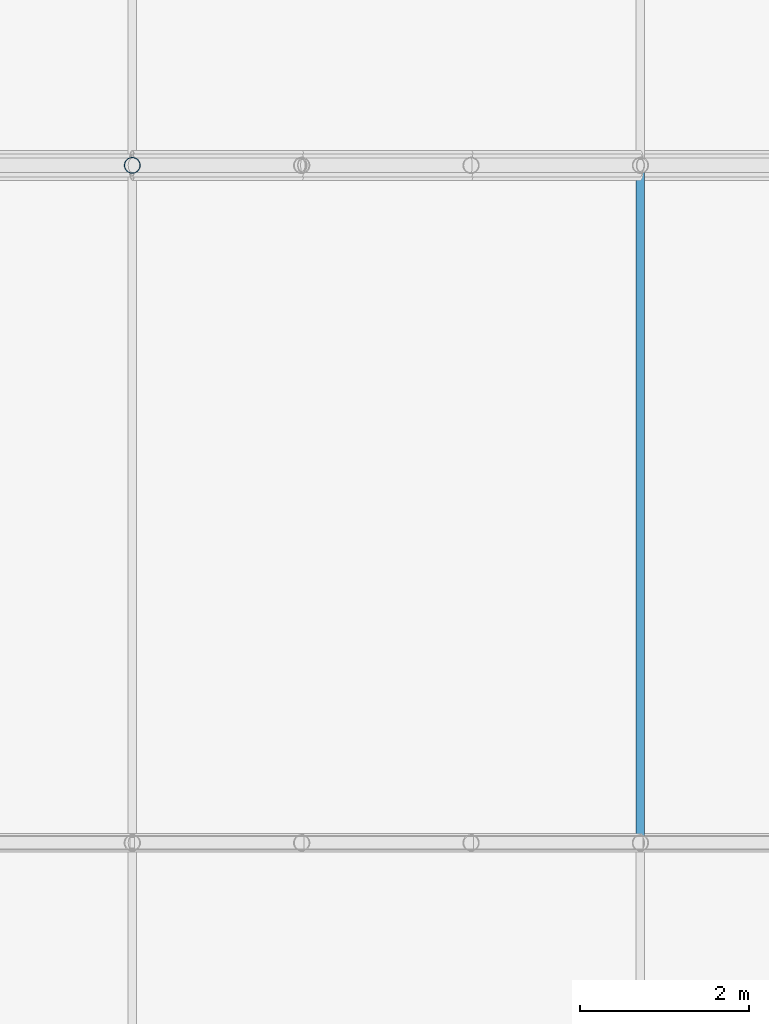
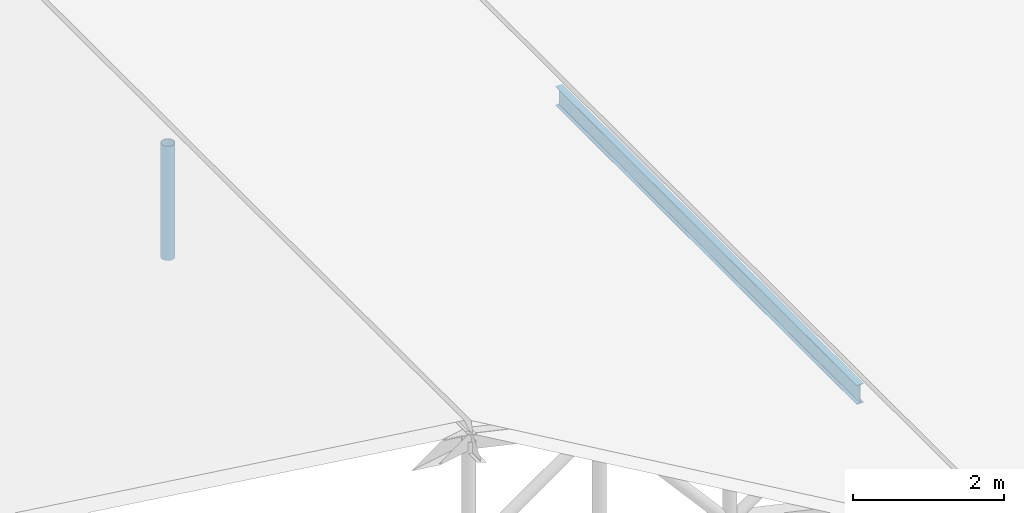
# One storey, part 14 of 28: 2 members.
"""IFC4 building model written with IfcOpenShell, lengths in metres."""

from ifc_helpers import new_model, si_unit, direction, frame, origin, origin_2d, place, context, subcontext, project, spatial, hollow_circle, i_section, extrude, material, material_profile, profile_set, type_object, element, save


model = new_model("IFC4")

# Units and contexts
model_context = context("Model", 3, precision=1e-05, world=origin(), true_north=direction((0.0, 1.0)))
body_context = subcontext(model_context, "Body", "Model", "MODEL_VIEW")
ifc_project = project(units=[si_unit("LENGTHUNIT", "METRE"), si_unit("AREAUNIT", "SQUARE_METRE"), si_unit("VOLUMEUNIT", "CUBIC_METRE"), si_unit("PLANEANGLEUNIT", "RADIAN"), si_unit("MASSUNIT", "GRAM", prefix="KILO"), si_unit("THERMODYNAMICTEMPERATUREUNIT", "KELVIN"), si_unit("POWERUNIT", "WATT")], contexts=[model_context])

# Site, building, storey
site_placement = place(None, origin())
site = spatial("IfcSite", under=ifc_project, at=site_placement, CompositionType="ELEMENT")
building_placement = place(site_placement, origin())
building = spatial("IfcBuilding", under=site, at=building_placement, Name="Tepalcoro Natatorium and Aquatics Centre", CompositionType="ELEMENT")
storey_placement = place(building_placement, frame((0.0, 0.0, 23.199951171875)))
storey = spatial("IfcBuildingStorey", under=building, at=storey_placement, Name="RF", CompositionType="ELEMENT", Elevation=23.199951171875)

# Members
ifc_material_1 = material(Name="Steel ASTM A992 Grade 50 (Fy 345 MPa)", Category="steel")
ifc_material_profile_1 = material_profile(ifc_material_1, i_section(OverallWidth=0.10205078125, OverallDepth=0.31201171875, WebThickness=0.007080078125, FlangeThickness=0.010986328125, FilletRadius=0.013916015625, at=origin_2d()), Name="W12X22")
ifc_profile_set_1 = profile_set([ifc_material_profile_1], Name="Steel ASTM A992 Grade 50 (Fy 345 MPa)")
member_type_1 = type_object("IfcMemberType", Name="MB_PR_W12x22", PredefinedType="PURLIN", material=ifc_profile_set_1)
member_1_placement = place(storey_placement, frame((165.0, 36.0, -1.60888671875), z_axis=(0.0, 1.0, 0.0), x_axis=(-1.0, 0.0, 0.0)))
element("IfcMember", 1, at=member_1_placement, inside=storey, type_object=member_type_1, Name="V2 Barrel-Arch Roof Purlin", PredefinedType="PURLIN", context=body_context, shape_type="SweptSolid", body=[
    extrude(i_section(OverallWidth=0.10205078125, OverallDepth=0.31201171875, WebThickness=0.007080078125, FlangeThickness=0.010986328125, FilletRadius=0.013916015625, at=origin_2d()), origin(), (0.0, 0.0, 1.0), 8.0),
])
ifc_material_2 = material(Name="Terracotta Painted Hollow Steel ASTM A500 Grade C (Fy 345 MPa)", Category="masonry")
ifc_material_profile_2 = material_profile(ifc_material_2, hollow_circle(Radius=0.096923828125, WallThickness=0.010009765625, at=origin_2d()), Name="CHS194X10")
ifc_profile_set_2 = profile_set([ifc_material_profile_2], Name="Terracotta Painted Hollow Steel ASTM A500 Grade C (Fy 345 MPa)")
member_type_2 = type_object("IfcMemberType", Name="MB_PS_CHS194x10", PredefinedType="POST", material=ifc_profile_set_2)
member_2_placement = place(storey_placement, frame((159.0, 44.0, -2.130859375), z_axis=(0.0, 0.0, 1.0), x_axis=(1.0, 0.0, 0.0)))
element("IfcMember", 2, at=member_2_placement, inside=storey, type_object=member_type_2, Name="V2 Barrel-Arch Post 6", PredefinedType="POST", context=body_context, shape_type="SweptSolid", body=[
    extrude(hollow_circle(Radius=0.096923828125, WallThickness=0.010009765625, at=origin_2d()), origin(), (0.0, 0.0, 1.0), 1.849853515625),
])

save(model, "model.ifc")
